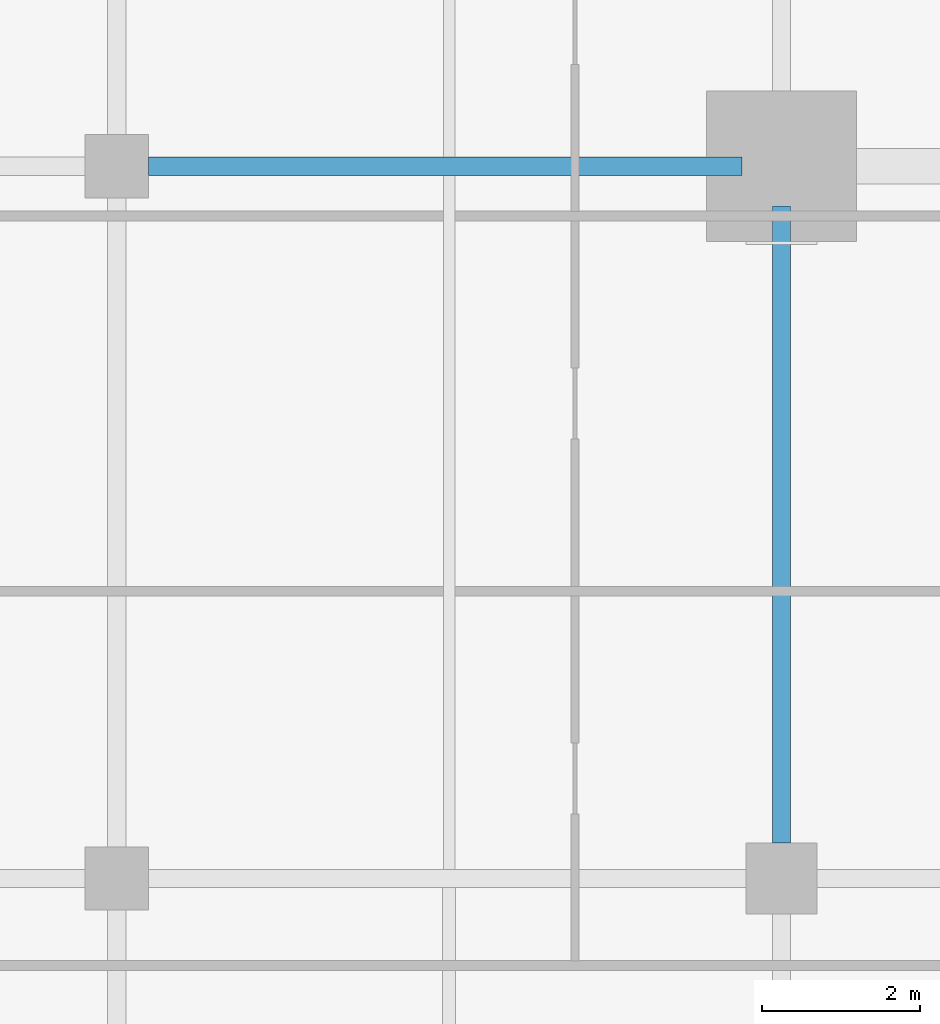
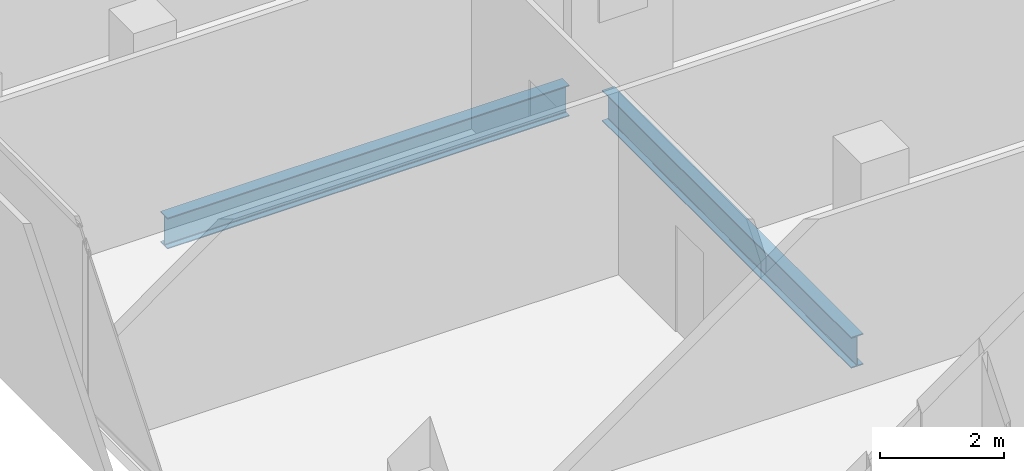
# One storey, part 9 of 33: 2 beams.
"""IFC4 building model written with IfcOpenShell, lengths in metres."""

from ifc_helpers import new_model, si_unit, direction, frame, origin, origin_2d, place, context, subcontext, project, spatial, i_section, extrude, material, material_profile, profile_set, type_object, element, save


model = new_model("IFC4")

# Units and contexts
model_context = context("Model", 3, precision=1e-05, world=origin(), true_north=direction((0.0, 1.0)))
body_context = subcontext(model_context, "Body", "Model", "MODEL_VIEW")
ifc_project = project(units=[si_unit("LENGTHUNIT", "METRE"), si_unit("AREAUNIT", "SQUARE_METRE"), si_unit("VOLUMEUNIT", "CUBIC_METRE"), si_unit("PLANEANGLEUNIT", "RADIAN"), si_unit("MASSUNIT", "GRAM", prefix="KILO")], contexts=[model_context])

# Site, building, storey
site_placement = place(None, origin())
site = spatial("IfcSite", under=ifc_project, at=site_placement, CompositionType="ELEMENT")
building_placement = place(site_placement, origin())
building = spatial("IfcBuilding", under=site, at=building_placement, Name="Maruvema Waterfront Hotel and Observation Tower", CompositionType="ELEMENT")
storey_placement = place(building_placement, frame((0.0, 0.0, 142.800048828125)))
storey = spatial("IfcBuildingStorey", under=building, at=storey_placement, Name="L34", CompositionType="ELEMENT", Elevation=142.800048828125)

# Beams
ifc_material = material(Name="Steel ASTM A572 Grade 50", Category="steel")
ifc_material_profile = material_profile(ifc_material, i_section(OverallWidth=0.22900390625, OverallDepth=0.612060546875, WebThickness=0.011962890625, FlangeThickness=0.01953125, FilletRadius=0.01806640625, at=origin_2d()), Name="W610x125.0")
ifc_profile_set = profile_set([ifc_material_profile], Name="Steel ASTM A572 Grade 50")
beam_type = type_object("IfcBeamType", Name="Primary Floor Girder W610x125.0", PredefinedType="BEAM", material=ifc_profile_set)
beam_1_placement = place(storey_placement, frame((17.199951171875, 27.0, -0.546142578125), z_axis=(1.0, 0.0, 0.0), x_axis=(0.0, 1.0, 0.0)))
element("IfcBeam", 1, at=beam_1_placement, inside=storey, type_object=beam_type, Name="L34 Floor Girder EW-19", PredefinedType="BEAM", context=body_context, shape_type="SweptSolid", body=[
    extrude(i_section(OverallWidth=0.22900390625, OverallDepth=0.612060546875, WebThickness=0.011962890625, FlangeThickness=0.01953125, FilletRadius=0.01806640625, at=origin_2d()), origin(), (0.0, 0.0, 1.0), 7.5),
])
beam_2_placement = place(storey_placement, frame((25.199951171875, 18.449951171875, -0.546142578125), z_axis=(0.0, 1.0, 0.0), x_axis=(-1.0, 0.0, 0.0)))
element("IfcBeam", 2, at=beam_2_placement, inside=storey, type_object=beam_type, Name="L34 Floor Girder NS-11", PredefinedType="BEAM", context=body_context, shape_type="SweptSolid", body=[
    extrude(i_section(OverallWidth=0.22900390625, OverallDepth=0.612060546875, WebThickness=0.011962890625, FlangeThickness=0.01953125, FilletRadius=0.01806640625, at=origin_2d()), origin(), (0.0, 0.0, 1.0), 8.050048828125),
])

save(model, "model.ifc")
